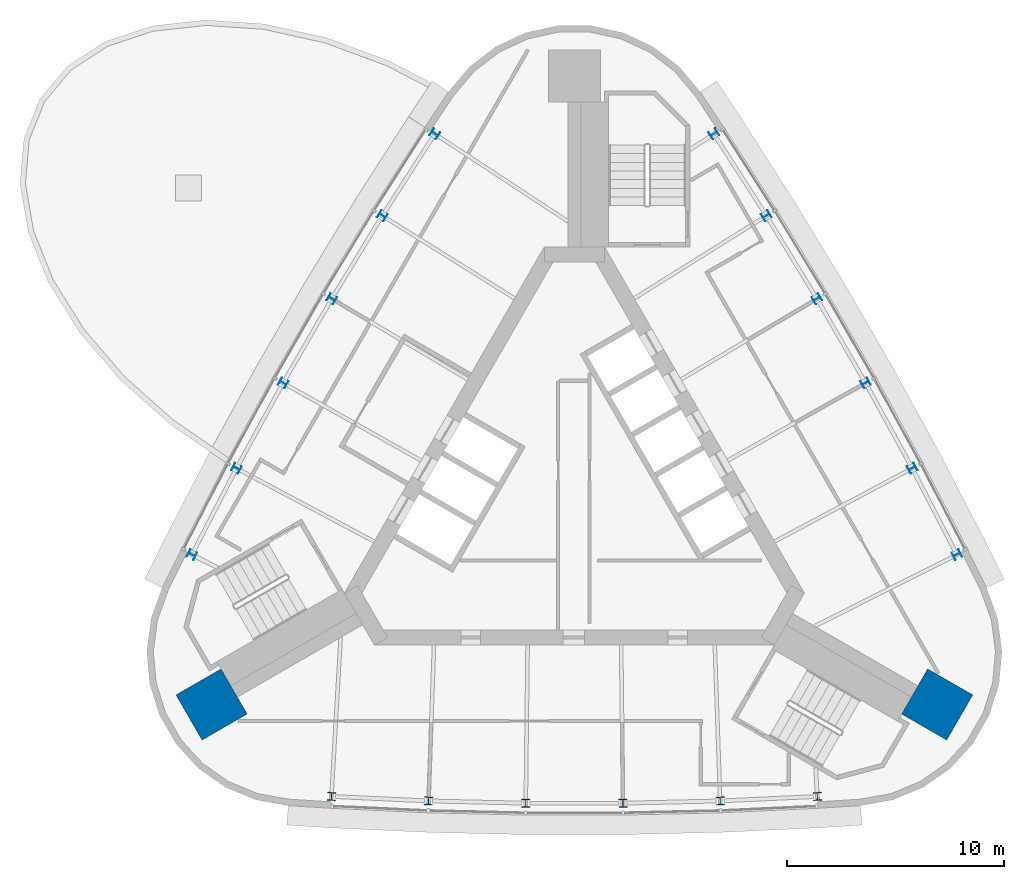
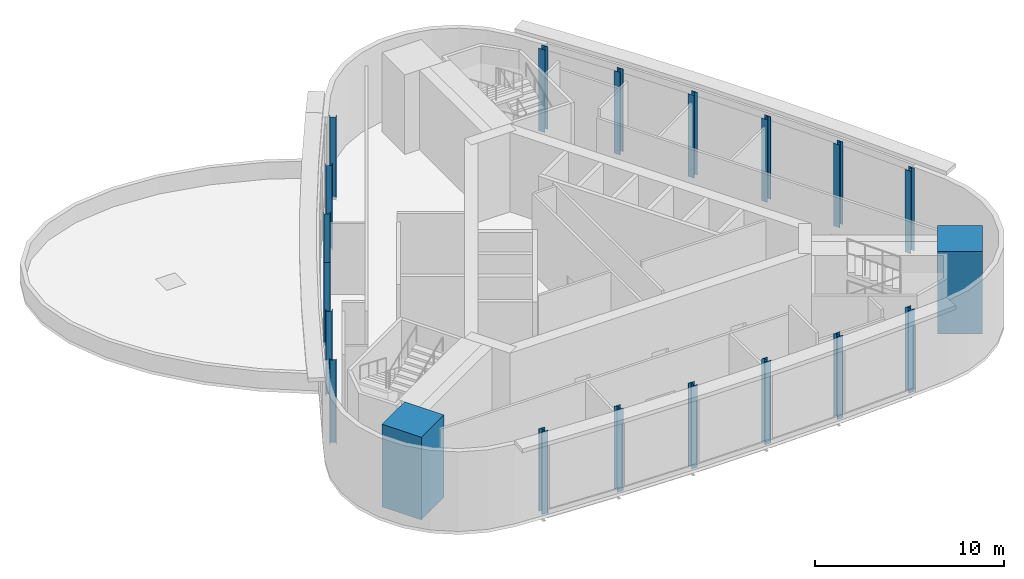
# One storey, part 1 of 8: 20 columns.
"""IFC4 building model written with IfcOpenShell, lengths in metres."""

from ifc_helpers import new_model, si_unit, direction, frame, origin, origin_2d, place, context, subcontext, project, spatial, rectangle, i_section, extrude, material, material_profile, profile_set, type_object, element, save


model = new_model("IFC4")

# Units and contexts
model_context = context("Model", 3, precision=1e-05, world=origin(), true_north=direction((0.0, 1.0)))
body_context = subcontext(model_context, "Body", "Model", "MODEL_VIEW")
ifc_project = project(units=[si_unit("LENGTHUNIT", "METRE"), si_unit("AREAUNIT", "SQUARE_METRE"), si_unit("VOLUMEUNIT", "CUBIC_METRE"), si_unit("PLANEANGLEUNIT", "RADIAN"), si_unit("MASSUNIT", "GRAM", prefix="KILO")], contexts=[model_context])

# Site, building, storey
site_placement = place(None, origin())
site = spatial("IfcSite", under=ifc_project, at=site_placement, CompositionType="ELEMENT")
building_placement = place(site_placement, origin())
building = spatial("IfcBuilding", under=site, at=building_placement, Name="Noor Cloister Tower", CompositionType="ELEMENT")
storey_placement = place(building_placement, frame((0.0, 0.0, 274.199951171875)))
storey = spatial("IfcBuildingStorey", under=building, at=storey_placement, Name="L70", CompositionType="ELEMENT", Elevation=274.199951171875)

# Columns
ifc_material_1 = material(Name="Steel ASTM A992 Gr 50", Category="steel")
ifc_material_profile_1 = material_profile(ifc_material_1, i_section(OverallWidth=0.37109375, OverallDepth=0.361083984375, WebThickness=0.01220703125, FlangeThickness=0.019775390625, FilletRadius=0.015380859375, at=origin_2d()), Name="W360x147")
ifc_profile_set_1 = profile_set([ifc_material_profile_1], Name="Steel ASTM A992 Gr 50")
column_type_1 = type_object("IfcColumnType", Name="Column W360x147", PredefinedType="COLUMN", material=ifc_profile_set_1)
for number, where, z_axis, x_axis, name in (
    (1, (-6.441650390625, 16.66552734375, -0.199951171875), (0.0, 0.0, 1.0), (-0.549344612048, -0.835595893488, 0.0), "Column NW 01 L70"),
    (2, (-8.863037109375, 12.8876953125, -0.199951171875), (0.0, 0.0, 1.0), (-0.529819164802, -0.84811063701, 0.0), "Column NW 02 L70"),
    (3, (-11.196044921875, 9.0546875, -0.199951171875), (0.0, 0.0, 1.0), (-0.51000874803, -0.860169214127, 0.0), "Column NW 03 L70"),
    (4, (-13.439697265625, 5.168701171875, -0.199951171875), (0.0, 0.0, 1.0), (-0.489924016972, -0.87176513901, 0.0), "Column NW 04 L70"),
    (5, (-15.592529296875, 1.231689453125, -0.199951171875), (0.0, 0.0, 1.0), (-0.469575774469, -0.882892174635, 0.0), "Column NW 05 L70"),
    (6, (-17.653564453125, -2.75390625, -0.199951171875), (0.0, 0.0, 1.0), (-0.448974965035, -0.893544336209, 0.0), "Column NW 06 L70"),
    (7, (-11.2119140625, -13.911376953125, -0.199951171875), (0.0, 0.0, 1.0), (0.998319577082, -0.057948442721, 0.0), "Column S 01 L70"),
    (8, (-6.7294921875, -14.119384765625, -0.199951171875), (0.0, 0.0, 1.0), (0.999394939271, -0.034781537625, 0.0), "Column S 02 L70"),
    (9, (-2.24365234375, -14.2236328125, -0.199951171875), (0.0, 0.0, 1.0), (0.999932765003, -0.011595924883, 0.0), "Column S 03 L70"),
    (10, (2.24365234375, -14.2236328125, -0.199951171875), (0.0, 0.0, 1.0), (0.999932765003, 0.011595924883, 0.0), "Column S 04 L70"),
    (11, (6.7294921875, -14.119384765625, -0.199951171875), (0.0, 0.0, 1.0), (0.999394939271, 0.034781537625, 0.0), "Column S 05 L70"),
    (12, (11.2119140625, -13.911376953125, -0.199951171875), (0.0, 0.0, 1.0), (0.998319577082, 0.057948442721, 0.0), "Column S 06 L70"),
    (13, (17.653564453125, -2.75390625, -0.199951171875), (0.0, 0.0, 1.0), (-0.448974965035, 0.893544336209, 0.0), "Column NE 01 L70"),
    (14, (15.592529296875, 1.231689453125, -0.199951171875), (0.0, 0.0, 1.0), (-0.469575774469, 0.882892174635, 0.0), "Column NE 02 L70"),
    (15, (13.439697265625, 5.168701171875, -0.199951171875), (0.0, 0.0, 1.0), (-0.489924016972, 0.87176513901, 0.0), "Column NE 03 L70"),
    (16, (11.196044921875, 9.0546875, -0.199951171875), (0.0, 0.0, 1.0), (-0.51000874803, 0.860169214127, 0.0), "Column NE 04 L70"),
    (17, (8.863037109375, 12.8876953125, -0.199951171875), (0.0, 0.0, 1.0), (-0.529819164802, 0.84811063701, 0.0), "Column NE 05 L70"),
    (18, (6.441650390625, 16.66552734375, -0.199951171875), (0.0, 0.0, 1.0), (-0.549344612048, 0.835595893488, 0.0), "Column NE 06 L70"),
):
    element("IfcColumn", number, at=place(storey_placement, frame(where, z_axis=z_axis, x_axis=x_axis)), inside=storey, type_object=column_type_1, Name=name, PredefinedType="COLUMN", context=body_context, shape_type="SweptSolid", body=[
        extrude(i_section(OverallWidth=0.37109375, OverallDepth=0.361083984375, WebThickness=0.01220703125, FlangeThickness=0.019775390625, FilletRadius=0.015380859375, at=origin_2d()), origin(), (0.0, 0.0, 1.0), 5.35009765625),
    ])
ifc_material_2 = material(Name="Concrete C60/75", Category="concrete")
ifc_material_profile_2 = material_profile(ifc_material_2, rectangle(XDim=2.39990234375, YDim=2.39990234375, at=origin_2d()), Name="RC 2400x2400")
ifc_profile_set_2 = profile_set([ifc_material_profile_2], Name="Concrete C60/75")
column_type_2 = type_object("IfcColumnType", Name="Corner pier 2400 x 2400 C60/75", PredefinedType="COLUMN", material=ifc_profile_set_2)
for number, where, z_axis, x_axis, name in (
    (19, (-16.74462890625, -9.66748046875, -0.199951171875), (0.0, 0.0, 1.0), (-0.866025403784, -0.5, 0.0), "Corner pier SW L70"),
    (20, (16.74462890625, -9.66748046875, -0.199951171875), (0.0, 0.0, 1.0), (0.866025403784, -0.5, 0.0), "Corner pier SE L70"),
):
    element("IfcColumn", number, at=place(storey_placement, frame(where, z_axis=z_axis, x_axis=x_axis)), inside=storey, type_object=column_type_2, Name=name, PredefinedType="COLUMN", context=body_context, shape_type="SweptSolid", body=[
        extrude(rectangle(XDim=2.39990234375, YDim=2.39990234375, at=origin_2d()), origin(), (0.0, 0.0, 1.0), 5.35009765625),
    ])

save(model, "model.ifc")
